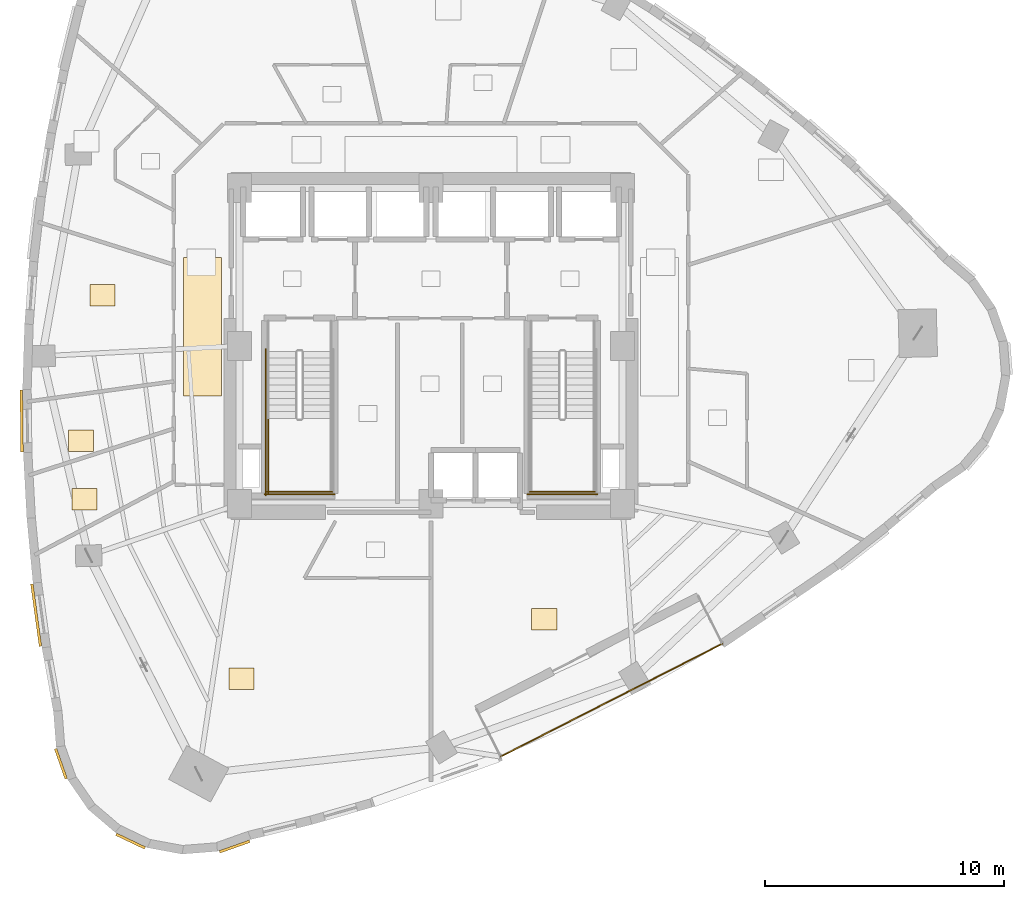
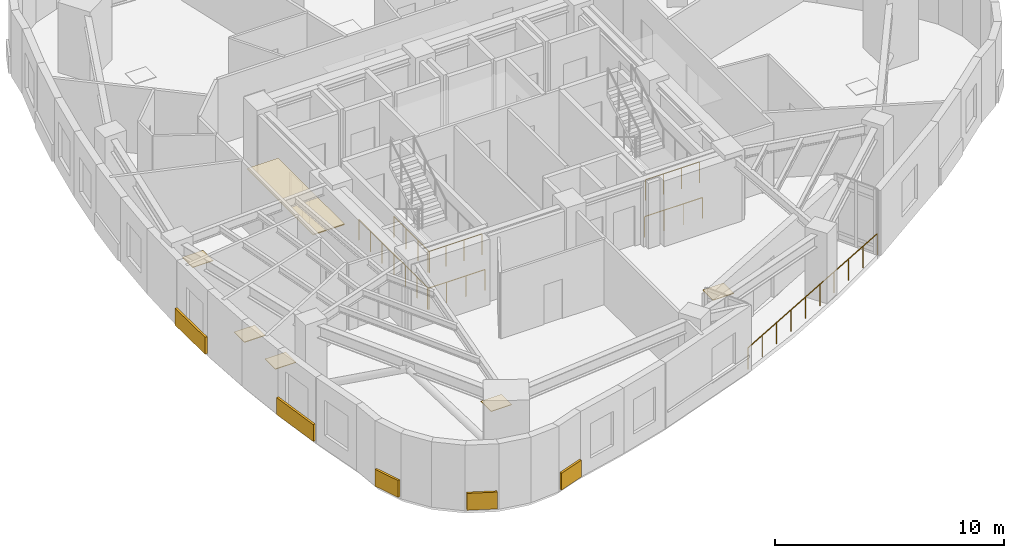
# One storey, part 10 of 12: 11 coverings, 7 railings.
"""IFC4 building model written with IfcOpenShell, lengths in metres."""

from ifc_helpers import new_model, si_unit, direction, frame, origin, origin_2d, place, context, subcontext, project, spatial, rectangle, circle, extrude, material, layer, layer_set, type_object, element, save


model = new_model("IFC4")

# Units and contexts
model_context = context("Model", 3, precision=1e-05, world=origin(), true_north=direction((0.0, 1.0)))
body_context = subcontext(model_context, "Body", "Model", "MODEL_VIEW")
ifc_project = project(units=[si_unit("LENGTHUNIT", "METRE"), si_unit("AREAUNIT", "SQUARE_METRE"), si_unit("VOLUMEUNIT", "CUBIC_METRE"), si_unit("PLANEANGLEUNIT", "RADIAN"), si_unit("MASSUNIT", "GRAM", prefix="KILO")], contexts=[model_context])

# Site, building, storey
site_placement = place(None, origin())
site = spatial("IfcSite", under=ifc_project, at=site_placement, CompositionType="ELEMENT")
building_placement = place(site_placement, origin())
building = spatial("IfcBuilding", under=site, at=building_placement, Name="Ndelora Gate Hotel", CompositionType="ELEMENT")
storey_placement = place(building_placement, frame((0.0, 0.0, 112.25)))
storey = spatial("IfcBuildingStorey", under=building, at=storey_placement, Name="L27", CompositionType="ELEMENT", Elevation=112.25)

# Coverings
ifc_material_1 = material(Name="Perforated Acoustic Gypsum Board", Category="gypsum")
ifc_layer_1 = layer(ifc_material_1, 0.054931640625)
ifc_layer_set_1 = layer_set([ifc_layer_1], Name="Perforated Acoustic Gypsum Board")
covering_type_1 = type_object("IfcCoveringType", Name="COV-CEIL-AC60", PredefinedType="CEILING", material=ifc_layer_set_1)
covering_1_placement = place(storey_placement, frame((-9.550048828125, 0.800048828125, 2.65234375), z_axis=(0.0, 0.0, 1.0), x_axis=(1.0, 0.0, 0.0)))
element("IfcCovering", 1, at=covering_1_placement, inside=storey, type_object=covering_type_1, Name="L27 Guest Corridor Acoustic Ceiling W", PredefinedType="CEILING", context=body_context, shape_type="SweptSolid", body=[
    extrude(rectangle(XDim=1.580078125, YDim=5.800048828125, at=origin_2d()), origin(), (0.0, 0.0, 1.0), 0.054931640625),
])
ifc_material_2 = material(Name="Terracotta Fired Clay Brick Slip Cladding", Category="masonry")
ifc_layer_2 = layer(ifc_material_2, 0.110107421875)
ifc_layer_set_2 = layer_set([ifc_layer_2], Name="Terracotta Fired Clay Brick Slip Cladding")
covering_type_2 = type_object("IfcCoveringType", Name="COV-CLAD-BRK", PredefinedType="CLADDING", material=ifc_layer_set_2)
covering_2_placement = place(storey_placement, frame((-17.108642578125, -3.14208984375, 0.10009765625), z_axis=(0.0, 0.0, 1.0), x_axis=(-0.011344396795, 0.99993565026, 0.0)))
element("IfcCovering", 2, at=covering_2_placement, inside=storey, type_object=covering_type_2, Name="L27 Rounded-Corner Brick Cladding Band 16", PredefinedType="CLADDING", context=body_context, shape_type="SweptSolid", body=[
    extrude(rectangle(XDim=2.583984375, YDim=0.110107421875, at=origin_2d()), origin(), (0.0, 0.0, 1.0), 0.89990234375),
])
covering_3_placement = place(storey_placement, frame((-16.503662109375, -11.250732421875, 0.10009765625), z_axis=(0.0, 0.0, 1.0), x_axis=(-0.136234308163, 0.990676644158, 0.0)))
element("IfcCovering", 3, at=covering_3_placement, inside=storey, type_object=covering_type_2, Name="L27 Rounded-Corner Brick Cladding Band 19", PredefinedType="CLADDING", context=body_context, shape_type="SweptSolid", body=[
    extrude(rectangle(XDim=2.6279296875, YDim=0.110107421875, at=origin_2d()), origin(), (0.0, 0.0, 1.0), 0.89990234375),
])
for number, where, z_axis, x_axis, name in (
    (4, (-15.468994140625, -17.464111328125, 0.10009765625), (0.0, 0.0, 1.0), (-0.333806859234, 0.942641491092, 0.0), "L27 Rounded-Corner Brick Cladding Band 22"),
    (5, (-12.556884765625, -20.698486328125, 0.10009765625), (0.0, 0.0, 1.0), (-0.90258528435, 0.430511096808, 0.0), "L27 Rounded-Corner Brick Cladding Band 25"),
    (6, (-8.21044921875, -20.92626953125, 0.10009765625), (0.0, 0.0, 1.0), (0.942641491092, 0.333806859234, 0.0), "L27 Rounded-Corner Brick Cladding Band 28"),
):
    element("IfcCovering", number, at=place(storey_placement, frame(where, z_axis=z_axis, x_axis=x_axis)), inside=storey, type_object=covering_type_2, Name=name, PredefinedType="CLADDING", context=body_context, shape_type="SweptSolid", body=[
        extrude(rectangle(XDim=1.3359375, YDim=0.110107421875, at=origin_2d()), origin(), (0.0, 0.0, 1.0), 0.89990234375),
    ])
ifc_material_3 = material(Name="Engineered Highland Oak Parquet", Category="wood")
ifc_layer_3 = layer(ifc_material_3, 0.030029296875)
ifc_layer_set_3 = layer_set([ifc_layer_3], Name="Engineered Highland Oak Parquet")
covering_type_3 = type_object("IfcCoveringType", Name="COV-FLR-PARQ", PredefinedType="FLOORING", material=ifc_layer_set_3)
for number, where, z_axis, x_axis, name in (
    (7, (-7.922119140625, -13.91748046875, 0.0), (0.0, 0.0, 1.0), (1.0, 0.0, 0.0), "L27 Club Executive Suite 3001 Oak Parquet Flooring"),
    (8, (4.731201171875, -11.42529296875, 0.0), (0.0, 0.0, 1.0), (1.0, 0.0, 0.0), "L27 Sky Garden Tea Dining Room Oak Parquet Flooring"),
    (9, (-13.73291015625, 2.12060546875, 0.0), (0.0, 0.0, 1.0), (1.0, 0.0, 0.0), "L27 Club Study Office Oak Parquet Flooring"),
    (10, (-14.625244140625, -3.95458984375, 0.0), (0.0, 0.0, 1.0), (1.0, 0.0, 0.0), "L27 Housekeeping and Linen Room Oak Parquet Flooring"),
    (11, (-14.4765625, -6.40625, 0.0), (0.0, 0.0, 1.0), (1.0, 0.0, 0.0), "L27 Accessible WC Oak Parquet Flooring"),
):
    element("IfcCovering", number, at=place(storey_placement, frame(where, z_axis=z_axis, x_axis=x_axis)), inside=storey, type_object=covering_type_3, Name=name, PredefinedType="FLOORING", context=body_context, shape_type="SweptSolid", body=[
        extrude(rectangle(XDim=1.050048828125, YDim=0.89990234375, at=origin_2d()), origin(), (0.0, 0.0, 1.0), 0.030029296875),
    ])

# Railings
ifc_material_4 = material(Name="Laminated Safety Glass and Bronze Top Rail", Category="glass")
ifc_layer_4 = layer(ifc_material_4, 0.070068359375)
ifc_layer_set_4 = layer_set([ifc_layer_4], Name="Laminated Safety Glass and Bronze Top Rail")
railing_type_1 = type_object("IfcRailingType", Name="RL-BAL-1150", PredefinedType="BALUSTRADE", material=ifc_layer_set_4)
railing_1_placement = place(storey_placement, frame((2.91015625, -17.165283203125, 0.0)))
element("IfcRailing", 12, at=railing_1_placement, inside=storey, type_object=railing_type_1, Name="L27 Sky-Garden Loggia Terrace Balustrade", PredefinedType="BALUSTRADE", context=body_context, shape_type="SweptSolid", body=[
    extrude(circle(Radius=0.02392578125, at=origin_2d()), frame((0.0, 0.0, 1.1357421875), z_axis=(0.891006889171, 0.453989783419, 0.0), x_axis=(-0.453989783419, 0.891006889171, 0.0)), (0.0, 0.0, 1.0), 10.39990234375),
    extrude(circle(Radius=0.02099609375, at=origin_2d()), origin(), (0.0, 0.0, 1.0), 1.11181640625),
    extrude(circle(Radius=0.02099609375, at=origin_2d()), frame((1.029541015625, 0.524658203125, 0.0)), (0.0, 0.0, 1.0), 1.11181640625),
    extrude(circle(Radius=0.02099609375, at=origin_2d()), frame((2.05908203125, 1.04931640625, 0.0)), (0.0, 0.0, 1.0), 1.11181640625),
    extrude(circle(Radius=0.02099609375, at=origin_2d()), frame((3.0888671875, 1.57373046875, 0.0)), (0.0, 0.0, 1.0), 1.11181640625),
    extrude(circle(Radius=0.02099609375, at=origin_2d()), frame((4.118408203125, 2.098388671875, 0.0)), (0.0, 0.0, 1.0), 1.11181640625),
    extrude(circle(Radius=0.02099609375, at=origin_2d()), frame((5.14794921875, 2.623046875, 0.0)), (0.0, 0.0, 1.0), 1.11181640625),
    extrude(circle(Radius=0.02099609375, at=origin_2d()), frame((6.177490234375, 3.147705078125, 0.0)), (0.0, 0.0, 1.0), 1.11181640625),
    extrude(circle(Radius=0.02099609375, at=origin_2d()), frame((7.207275390625, 3.672119140625, 0.0)), (0.0, 0.0, 1.0), 1.11181640625),
    extrude(circle(Radius=0.02099609375, at=origin_2d()), frame((8.23681640625, 4.19677734375, 0.0)), (0.0, 0.0, 1.0), 1.11181640625),
    extrude(circle(Radius=0.02099609375, at=origin_2d()), frame((9.266357421875, 4.721435546875, 0.0)), (0.0, 0.0, 1.0), 1.11181640625),
])
ifc_material_5 = material(Name="Painted Galvanized Steel Balustrade", Category="steel")
ifc_layer_5 = layer(ifc_material_5, 0.06005859375)
ifc_layer_set_5 = layer_set([ifc_layer_5], Name="Painted Galvanized Steel Balustrade")
railing_type_2 = type_object("IfcRailingType", Name="RL-STAIR-GD", PredefinedType="GUARDRAIL", material=ifc_layer_set_5)
railing_2_placement = place(storey_placement, frame((-6.800048828125, -3.030029296875, 1.875)))
element("IfcRailing", 13, at=railing_2_placement, inside=storey, type_object=railing_type_2, Name="L27 ST4 stair guard 3", PredefinedType="GUARDRAIL", context=body_context, shape_type="SweptSolid", body=[
    extrude(circle(Radius=0.02392578125, at=origin_2d()), frame((0.0, 0.0, 1.10595703125), z_axis=(0.0, -1.0, 0.0), x_axis=(1.0, 0.0, 0.0)), (0.0, 0.0, 1.0), 3.119873046875),
    extrude(circle(Radius=0.02099609375, at=origin_2d()), origin(), (0.0, 0.0, 1.0), 1.081787109375),
    extrude(circle(Radius=0.02099609375, at=origin_2d()), frame((0.0, -1.0400390625, 0.0)), (0.0, 0.0, 1.0), 1.081787109375),
    extrude(circle(Radius=0.02099609375, at=origin_2d()), frame((0.0, -2.079833984375, 0.0)), (0.0, 0.0, 1.0), 1.081787109375),
    extrude(circle(Radius=0.02099609375, at=origin_2d()), frame((0.0, -3.119873046875, 0.0)), (0.0, 0.0, 1.0), 1.081787109375),
])
railing_3_placement = place(storey_placement, frame((-6.85009765625, -6.10009765625, 1.875)))
element("IfcRailing", 14, at=railing_3_placement, inside=storey, type_object=railing_type_2, Name="L27 ST4 stair guard 5", PredefinedType="GUARDRAIL", context=body_context, shape_type="SweptSolid", body=[
    extrude(circle(Radius=0.02392578125, at=origin_2d()), frame((0.0, 0.0, 1.10595703125), z_axis=(1.0, 0.0, 0.0), x_axis=(0.0, 1.0, 0.0)), (0.0, 0.0, 1.0), 2.72021484375),
    extrude(circle(Radius=0.02099609375, at=origin_2d()), origin(), (0.0, 0.0, 1.0), 1.081787109375),
    extrude(circle(Radius=0.02099609375, at=origin_2d()), frame((0.90673828125, 0.0, 0.0)), (0.0, 0.0, 1.0), 1.081787109375),
    extrude(circle(Radius=0.02099609375, at=origin_2d()), frame((1.8134765625, 0.0, 0.0)), (0.0, 0.0, 1.0), 1.081787109375),
    extrude(circle(Radius=0.02099609375, at=origin_2d()), frame((2.72021484375, 0.0, 0.0)), (0.0, 0.0, 1.0), 1.081787109375),
])
railing_4_placement = place(storey_placement, frame((-6.89990234375, -0.1298828125, 0.0)))
element("IfcRailing", 15, at=railing_4_placement, inside=storey, type_object=railing_type_2, Name="L27 ST4 stair guard 10", PredefinedType="GUARDRAIL", context=body_context, shape_type="SweptSolid", body=[
    extrude(circle(Radius=0.02392578125, at=origin_2d()), frame((0.0, 0.0, 1.10595703125), z_axis=(0.0, -1.0, 0.0), x_axis=(1.0, 0.0, 0.0)), (0.0, 0.0, 1.0), 6.1201171875),
    extrude(circle(Radius=0.02099609375, at=origin_2d()), origin(), (0.0, 0.0, 1.0), 1.081787109375),
    extrude(circle(Radius=0.02099609375, at=origin_2d()), frame((0.0, -1.02001953125, 0.0)), (0.0, 0.0, 1.0), 1.081787109375),
    extrude(circle(Radius=0.02099609375, at=origin_2d()), frame((0.0, -2.0400390625, 0.0)), (0.0, 0.0, 1.0), 1.081787109375),
    extrude(circle(Radius=0.02099609375, at=origin_2d()), frame((0.0, -3.06005859375, 0.0)), (0.0, 0.0, 1.0), 1.081787109375),
    extrude(circle(Radius=0.02099609375, at=origin_2d()), frame((0.0, -4.080078125, 0.0)), (0.0, 0.0, 1.0), 1.081787109375),
    extrude(circle(Radius=0.02099609375, at=origin_2d()), frame((0.0, -5.10009765625, 0.0)), (0.0, 0.0, 1.0), 1.081787109375),
    extrude(circle(Radius=0.02099609375, at=origin_2d()), frame((0.0, -6.1201171875, 0.0)), (0.0, 0.0, 1.0), 1.081787109375),
])
railing_5_placement = place(storey_placement, frame((-6.949951171875, -6.199951171875, 0.0)))
element("IfcRailing", 16, at=railing_5_placement, inside=storey, type_object=railing_type_2, Name="L27 ST4 stair guard 12", PredefinedType="GUARDRAIL", context=body_context, shape_type="SweptSolid", body=[
    extrude(circle(Radius=0.02392578125, at=origin_2d()), frame((0.0, 0.0, 1.10595703125), z_axis=(1.0, 0.0, 0.0), x_axis=(0.0, 1.0, 0.0)), (0.0, 0.0, 1.0), 2.919921875),
    extrude(circle(Radius=0.02099609375, at=origin_2d()), origin(), (0.0, 0.0, 1.0), 1.081787109375),
    extrude(circle(Radius=0.02099609375, at=origin_2d()), frame((0.973388671875, 0.0, 0.0)), (0.0, 0.0, 1.0), 1.081787109375),
    extrude(circle(Radius=0.02099609375, at=origin_2d()), frame((1.946533203125, 0.0, 0.0)), (0.0, 0.0, 1.0), 1.081787109375),
    extrude(circle(Radius=0.02099609375, at=origin_2d()), frame((2.919921875, 0.0, 0.0)), (0.0, 0.0, 1.0), 1.081787109375),
])
railing_6_placement = place(storey_placement, frame((4.1298828125, -6.10009765625, 1.875)))
element("IfcRailing", 17, at=railing_6_placement, inside=storey, type_object=railing_type_2, Name="L27 ST5 stair guard 5", PredefinedType="GUARDRAIL", context=body_context, shape_type="SweptSolid", body=[
    extrude(circle(Radius=0.02392578125, at=origin_2d()), frame((0.0, 0.0, 1.10595703125), z_axis=(1.0, 0.0, 0.0), x_axis=(0.0, 1.0, 0.0)), (0.0, 0.0, 1.0), 2.72021484375),
    extrude(circle(Radius=0.02099609375, at=origin_2d()), origin(), (0.0, 0.0, 1.0), 1.081787109375),
    extrude(circle(Radius=0.02099609375, at=origin_2d()), frame((0.90673828125, 0.0, 0.0)), (0.0, 0.0, 1.0), 1.081787109375),
    extrude(circle(Radius=0.02099609375, at=origin_2d()), frame((1.8134765625, 0.0, 0.0)), (0.0, 0.0, 1.0), 1.081787109375),
    extrude(circle(Radius=0.02099609375, at=origin_2d()), frame((2.72021484375, 0.0, 0.0)), (0.0, 0.0, 1.0), 1.081787109375),
])
railing_7_placement = place(storey_placement, frame((4.030029296875, -6.199951171875, 0.0)))
element("IfcRailing", 18, at=railing_7_placement, inside=storey, type_object=railing_type_2, Name="L27 ST5 stair guard 12", PredefinedType="GUARDRAIL", context=body_context, shape_type="SweptSolid", body=[
    extrude(circle(Radius=0.02392578125, at=origin_2d()), frame((0.0, 0.0, 1.10595703125), z_axis=(1.0, 0.0, 0.0), x_axis=(0.0, 1.0, 0.0)), (0.0, 0.0, 1.0), 2.919921875),
    extrude(circle(Radius=0.02099609375, at=origin_2d()), origin(), (0.0, 0.0, 1.0), 1.081787109375),
    extrude(circle(Radius=0.02099609375, at=origin_2d()), frame((0.973388671875, 0.0, 0.0)), (0.0, 0.0, 1.0), 1.081787109375),
    extrude(circle(Radius=0.02099609375, at=origin_2d()), frame((1.946533203125, 0.0, 0.0)), (0.0, 0.0, 1.0), 1.081787109375),
    extrude(circle(Radius=0.02099609375, at=origin_2d()), frame((2.919921875, 0.0, 0.0)), (0.0, 0.0, 1.0), 1.081787109375),
])

save(model, "model.ifc")
